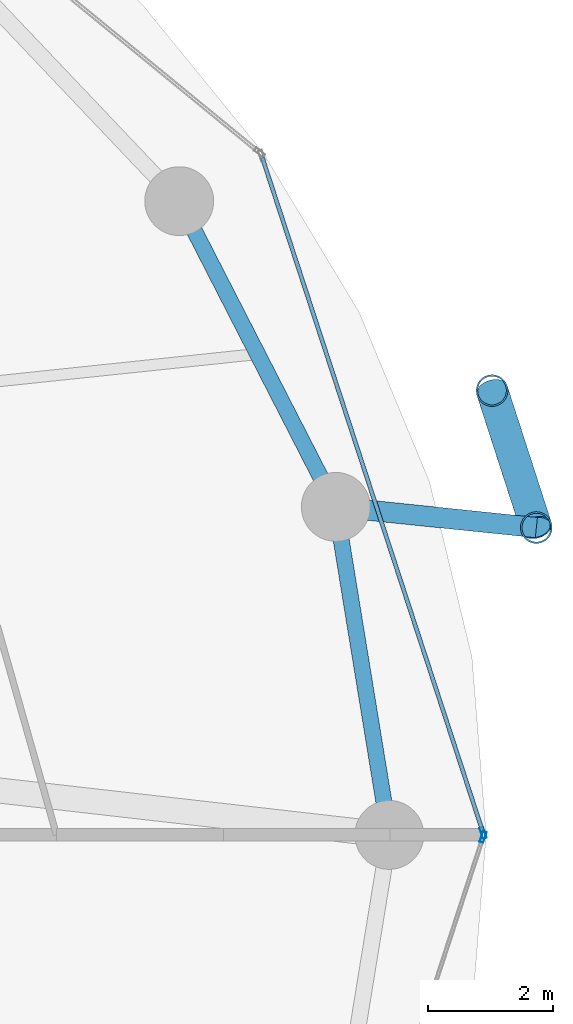
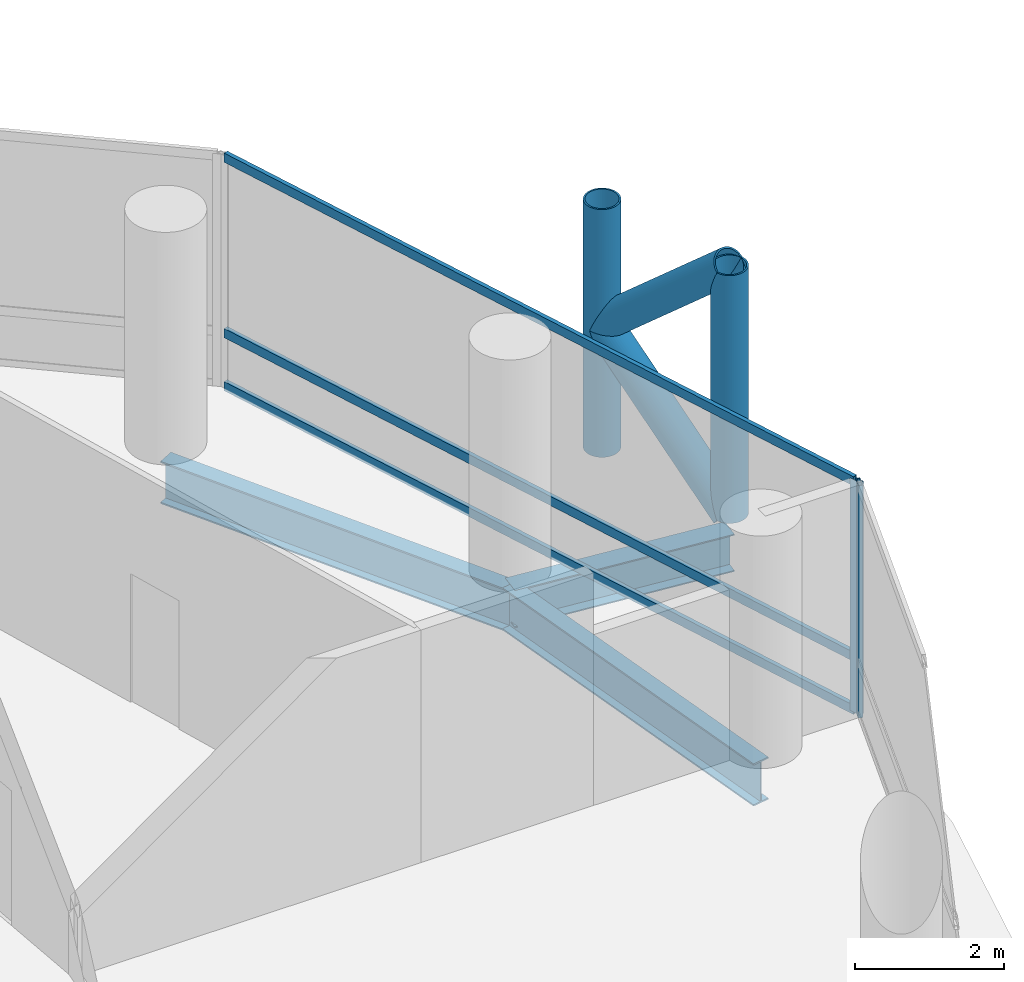
# One storey, part 12 of 24: 9 members, 3 beams, 2 elements without a shape of their own.
"""IFC4 building model written with IfcOpenShell, lengths in metres."""

from ifc_helpers import new_model, si_unit, direction, frame, origin, origin_2d, place, context, subcontext, project, spatial, hollow_rectangle, hollow_circle, i_section, extrude, material, layer, layer_set, material_profile, profile_set, type_object, element, aggregate, save


model = new_model("IFC4")

# Units and contexts
model_context = context("Model", 3, precision=1e-05, world=origin(), true_north=direction((0.0, 1.0)))
body_context = subcontext(model_context, "Body", "Model", "MODEL_VIEW")
ifc_project = project(units=[si_unit("LENGTHUNIT", "METRE"), si_unit("AREAUNIT", "SQUARE_METRE"), si_unit("VOLUMEUNIT", "CUBIC_METRE"), si_unit("PLANEANGLEUNIT", "RADIAN"), si_unit("MASSUNIT", "GRAM", prefix="KILO")], contexts=[model_context])

# Site, building, storey
site_placement = place(None, origin())
site = spatial("IfcSite", under=ifc_project, at=site_placement, CompositionType="ELEMENT")
building_placement = place(site_placement, origin())
building = spatial("IfcBuilding", under=site, at=building_placement, Name="Nuhasar Tower", CompositionType="ELEMENT")
storey_placement = place(building_placement, frame((0.0, 0.0, 77.699951171875)))
storey = spatial("IfcBuildingStorey", under=building, at=storey_placement, Name="L18", CompositionType="ELEMENT", Elevation=77.699951171875)

# Beams
ifc_material_1 = material(Name="Steel S355", Category="steel")
ifc_material_profile_1 = material_profile(ifc_material_1, i_section(OverallWidth=0.256103515625, OverallDepth=0.693115234375, WebThickness=0.014404296875, FlangeThickness=0.023681640625, at=origin_2d()), Name="W27X114")
ifc_profile_set_1 = profile_set([ifc_material_profile_1], Name="Steel S355")
beam_type_1 = type_object("IfcBeamType", Name="BM-RING-W27X114", PredefinedType="SPANDREL", material=ifc_profile_set_1)
beam_1_placement = place(storey_placement, frame((64.050048828125, 26.800048828125, -0.596923828125), z_axis=(-0.160826635486, 0.986982671235, 0.0), x_axis=(-0.986982671235, -0.160826635486, 0.0)))
element("IfcBeam", 1, at=beam_1_placement, inside=storey, type_object=beam_type_1, Name="L18 Perimeter Ring Spandrel 01", PredefinedType="SPANDREL", context=body_context, shape_type="SweptSolid", body=[
    extrude(i_section(OverallWidth=0.256103515625, OverallDepth=0.693115234375, WebThickness=0.014404296875, FlangeThickness=0.023681640625, at=origin_2d()), origin(), (0.0, 0.0, 1.0), 5.31005859375),
])
beam_2_placement = place(storey_placement, frame((63.196044921875, 32.041015625, -0.596923828125), z_axis=(-0.455930023905, 0.890015625314, 0.0), x_axis=(-0.890015625314, -0.455930023905, 0.0)))
element("IfcBeam", 2, at=beam_2_placement, inside=storey, type_object=beam_type_1, Name="L18 Perimeter Ring Spandrel 02", PredefinedType="SPANDREL", context=body_context, shape_type="SweptSolid", body=[
    extrude(i_section(OverallWidth=0.256103515625, OverallDepth=0.693115234375, WebThickness=0.014404296875, FlangeThickness=0.023681640625, at=origin_2d()), origin(), (0.0, 0.0, 1.0), 5.487548828125),
])
ifc_material_profile_2 = material_profile(ifc_material_1, i_section(OverallWidth=0.323974609375, OverallDepth=0.611083984375, WebThickness=0.0126953125, FlangeThickness=0.01904296875, at=origin_2d()), Name="W24X104")
ifc_profile_set_2 = profile_set([ifc_material_profile_2], Name="Steel S355")
beam_type_2 = type_object("IfcBeamType", Name="BM-TIE-W24X104", PredefinedType="BEAM", material=ifc_profile_set_2)
beam_3_placement = place(storey_placement, frame((63.196044921875, 32.041015625, -0.554931640625), z_axis=(0.994703825606, -0.102782777377, 0.0), x_axis=(0.102782777377, 0.994703825606, 0.0)))
element("IfcBeam", 3, at=beam_3_placement, inside=storey, type_object=beam_type_2, Name="L18 Exoskeleton Node Tie Beam 01", PredefinedType="BEAM", context=body_context, shape_type="SweptSolid", body=[
    extrude(i_section(OverallWidth=0.323974609375, OverallDepth=0.611083984375, WebThickness=0.0126953125, FlangeThickness=0.01904296875, at=origin_2d()), origin(), (0.0, 0.0, 1.0), 3.220947265625),
])

# Curtain wall, member
ifc_material_2 = material(Name="Aluminium 6063-T6", Category="aluminium")
ifc_layer = layer(ifc_material_2, 0.199951171875)
ifc_layer_set = layer_set([ifc_layer], Name="Aluminium 6063-T6")
curtain_wall_type = type_object("IfcCurtainWallType", Name="CW-Z1-OFF", PredefinedType="NOTDEFINED", material=ifc_layer_set)
curtain_wall_1_placement = place(storey_placement, origin())
curtain_wall_1 = element("IfcCurtainWall", 4, at=curtain_wall_1_placement, inside=storey, type_object=curtain_wall_type, Name="L18 Unitised Curtain Wall 01", PredefinedType="NOTDEFINED")
ifc_material_profile_3 = material_profile(ifc_material_2, hollow_rectangle(XDim=0.06494140625, YDim=0.179931640625, WallThickness=0.0048828125, at=origin_2d()), Name="CWM-2")
ifc_profile_set_3 = profile_set([ifc_material_profile_3], Name="Aluminium 6063-T6")
member_type_1 = type_object("IfcMemberType", Name="CW-MUL-S2", PredefinedType="MULLION", material=ifc_profile_set_3)
member_1_placement = place(storey_placement, frame((65.5498046875, 26.830810546875, 0.0), z_axis=(0.0, 0.0, 1.0), x_axis=(-0.950467534571, -0.310823849997, 0.0)))
member_1 = element("IfcMember", 5, at=member_1_placement, type_object=member_type_1, Name="CW-Z1 mullion 1", PredefinedType="MULLION", context=body_context, shape_type="SweptSolid", body=[
    extrude(hollow_rectangle(XDim=0.06494140625, YDim=0.179931640625, WallThickness=0.0048828125, at=origin_2d()), origin(), (0.0, 0.0, 1.0), 3.800048828125),
])

curtain_wall_2_placement = place(storey_placement, origin())
curtain_wall_2 = element("IfcCurtainWall", 6, at=curtain_wall_2_placement, inside=storey, type_object=curtain_wall_type, Name="L18 Unitised Curtain Wall 12", PredefinedType="NOTDEFINED")
member_2_placement = place(storey_placement, frame((65.5498046875, 26.76904296875, 0.0), z_axis=(0.0, 0.0, 1.0), x_axis=(-0.950467534571, 0.310823849997, 0.0)))
member_2 = element("IfcMember", 7, at=member_2_placement, type_object=member_type_1, Name="CW-Z1 mullion 2", PredefinedType="MULLION", context=body_context, shape_type="SweptSolid", body=[
    extrude(hollow_rectangle(XDim=0.06494140625, YDim=0.179931640625, WallThickness=0.0048828125, at=origin_2d()), origin(), (0.0, 0.0, 1.0), 3.800048828125),
])
aggregate(curtain_wall_2, [member_2])

# Member
ifc_material_profile_4 = material_profile(ifc_material_2, hollow_rectangle(XDim=0.06494140625, YDim=0.14990234375, WallThickness=0.00439453125, at=origin_2d()), Name="CWT-2")
ifc_profile_set_4 = profile_set([ifc_material_profile_4], Name="Aluminium 6063-T6")
member_type_2 = type_object("IfcMemberType", Name="CW-TRN-S2", PredefinedType="USERDEFINED", material=ifc_profile_set_4)
member_3_placement = place(storey_placement, frame((65.539794921875, 26.86181640625, 0.032470703125), z_axis=(-0.31082506089, 0.950467138581, 0.0), x_axis=(-0.950467138581, -0.31082506089, 0.0)))
member_3 = element("IfcMember", 8, at=member_3_placement, type_object=member_type_2, Name="CW-Z1 transom 1.1", ObjectType="TRANSOM", PredefinedType="USERDEFINED", context=body_context, shape_type="SweptSolid", body=[
    extrude(hollow_rectangle(XDim=0.06494140625, YDim=0.14990234375, WallThickness=0.00439453125, at=origin_2d()), origin(), (0.0, 0.0, 1.0), 11.31689453125),
])

member_4_placement = place(storey_placement, frame((65.539794921875, 26.86181640625, 0.900146484375), z_axis=(-0.31082506089, 0.950467138581, 0.0), x_axis=(-0.950467138581, -0.31082506089, 0.0)))
member_4 = element("IfcMember", 9, at=member_4_placement, type_object=member_type_2, Name="CW-Z1 transom 1.2", ObjectType="TRANSOM", PredefinedType="USERDEFINED", context=body_context, shape_type="SweptSolid", body=[
    extrude(hollow_rectangle(XDim=0.06494140625, YDim=0.14990234375, WallThickness=0.00439453125, at=origin_2d()), origin(), (0.0, 0.0, 1.0), 11.31689453125),
])

member_5_placement = place(storey_placement, frame((65.539794921875, 26.86181640625, 3.767578125), z_axis=(-0.31082506089, 0.950467138581, 0.0), x_axis=(-0.950467138581, -0.31082506089, 0.0)))
member_5 = element("IfcMember", 10, at=member_5_placement, type_object=member_type_2, Name="CW-Z1 transom 1.3", ObjectType="TRANSOM", PredefinedType="USERDEFINED", context=body_context, shape_type="SweptSolid", body=[
    extrude(hollow_rectangle(XDim=0.06494140625, YDim=0.14990234375, WallThickness=0.00439453125, at=origin_2d()), origin(), (0.0, 0.0, 1.0), 11.31689453125),
])

aggregate(curtain_wall_1, [member_1, member_3, member_4, member_5])

# Members
ifc_material_3 = material(Name="Steel S460", Category="steel")
ifc_material_profile_5 = material_profile(ifc_material_3, hollow_circle(Radius=0.25390625, WallThickness=0.025390625, at=origin_2d()), Name="HSS508X25.4")
ifc_profile_set_5 = profile_set([ifc_material_profile_5], Name="Steel S460")
member_type_3 = type_object("IfcMemberType", Name="EXO-BRONZE-508", PredefinedType="BRACE", material=ifc_profile_set_5)
for number, where, z_axis, x_axis, name in (
    (11, (66.39990234375, 31.7099609375, 0.0), (0.0, 0.0, 1.0), (1.0, 0.0, 0.0), "L18 Exoskeleton Chord Column EC-01A"),
    (12, (65.69189453125, 33.89892578125, 0.0), (0.0, 0.0, 1.0), (1.0, 0.0, 0.0), "L18 Exoskeleton Chord Column EC-01B"),
):
    element("IfcMember", number, at=place(storey_placement, frame(where, z_axis=z_axis, x_axis=x_axis)), inside=storey, type_object=member_type_3, Name=name, PredefinedType="BRACE", context=body_context, shape_type="SweptSolid", body=[
        extrude(hollow_circle(Radius=0.25390625, WallThickness=0.025390625, at=origin_2d()), origin(), (0.0, 0.0, 1.0), 4.050048828125),
    ])
member_6_placement = place(storey_placement, frame((66.39990234375, 31.7099609375, 0.0), z_axis=(-0.230999678299, 0.714187281251, 0.660738734997), x_axis=(-0.951468282519, -0.307746823478, 0.0)))
element("IfcMember", 13, at=member_6_placement, inside=storey, type_object=member_type_3, Name="L18 Bronze Diagrid Brace W1-01", PredefinedType="BRACE", context=body_context, shape_type="SweptSolid", body=[
    extrude(hollow_circle(Radius=0.25390625, WallThickness=0.025390625, at=origin_2d()), origin(), (0.0, 0.0, 1.0), 3.06494140625),
])
member_7_placement = place(storey_placement, frame((65.69189453125, 33.89892578125, 2.025146484375), z_axis=(0.231011836313, -0.714224870475, 0.660693851854), x_axis=(0.951468282519, 0.307746823478, 0.0)))
element("IfcMember", 14, at=member_7_placement, inside=storey, type_object=member_type_3, Name="L18 Bronze Diagrid Brace W2-01", PredefinedType="BRACE", context=body_context, shape_type="SweptSolid", body=[
    extrude(hollow_circle(Radius=0.25390625, WallThickness=0.025390625, at=origin_2d()), origin(), (0.0, 0.0, 1.0), 3.064697265625),
])

save(model, "model.ifc")
